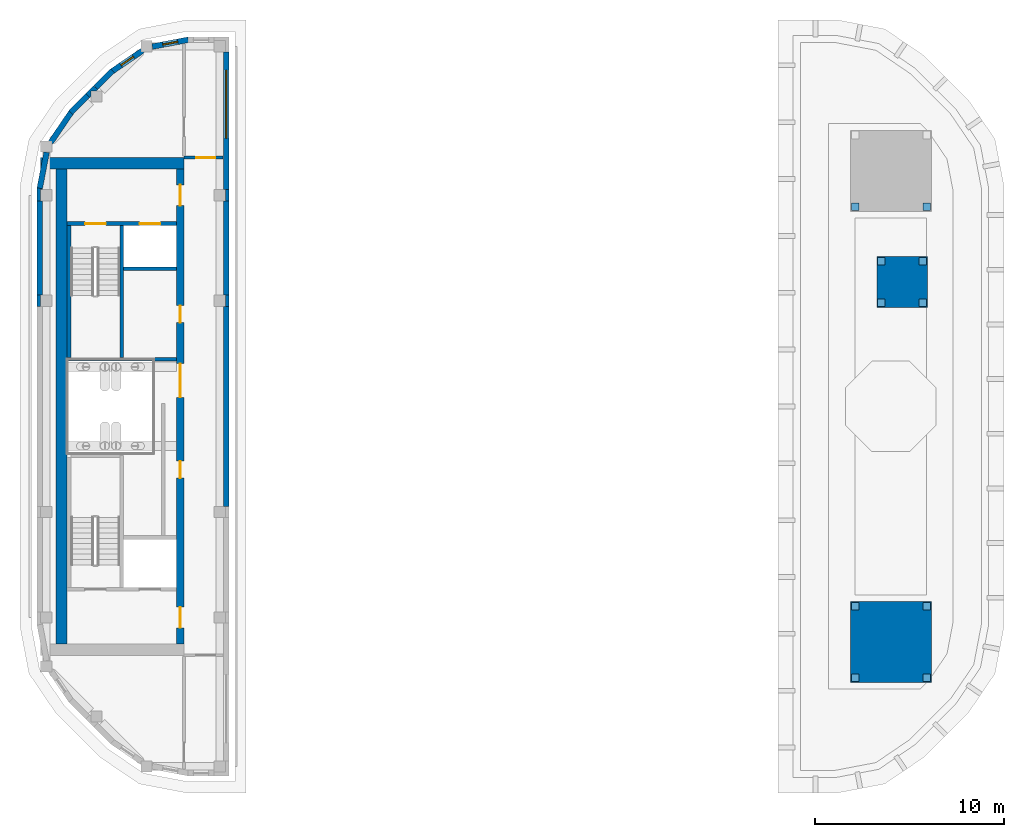
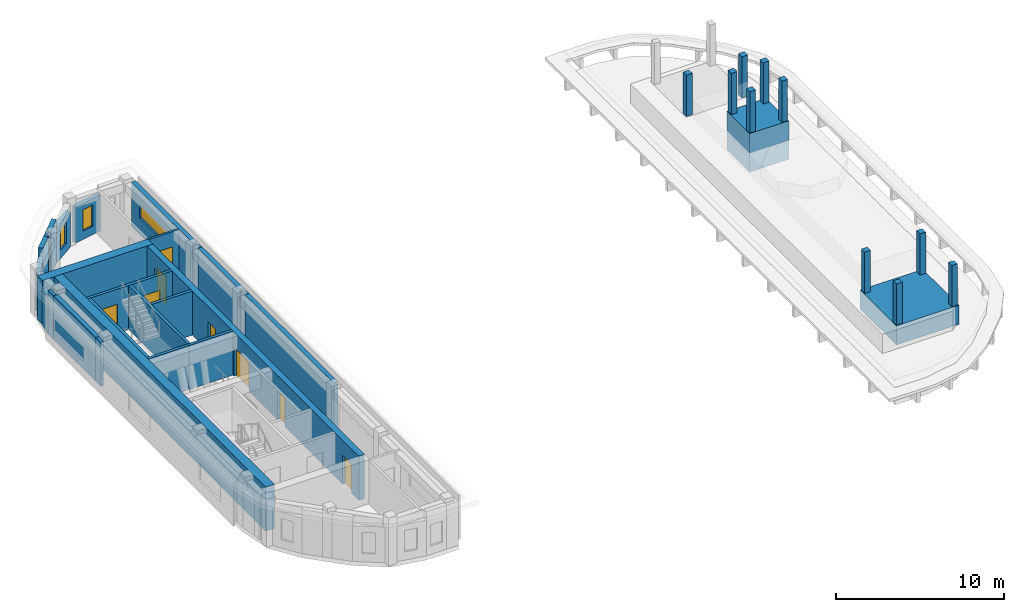
# One storey, part 3 of 8: 37 walls, 8 doors, 3 windows, 11 openings.
"""IFC4 building model written with IfcOpenShell, lengths in metres."""

from ifc_helpers import new_model, si_unit, direction, frame, frame_2d, origin, place, context, subcontext, project, spatial, polyline, rectangle, outline, extrude, material, layer, layer_set, type_object, element, fill, save


model = new_model("IFC4")

# Units and contexts
model_context = context("Model", 3, precision=1e-05, world=origin(), true_north=direction((0.0, 1.0)))
body_context = subcontext(model_context, "Body", "Model", "MODEL_VIEW")
ifc_project = project(units=[si_unit("LENGTHUNIT", "METRE"), si_unit("AREAUNIT", "SQUARE_METRE"), si_unit("VOLUMEUNIT", "CUBIC_METRE"), si_unit("PLANEANGLEUNIT", "RADIAN"), si_unit("MASSUNIT", "GRAM", prefix="KILO")], contexts=[model_context])

# Site, building, storey
site_placement = place(None, origin())
site = spatial("IfcSite", under=ifc_project, at=site_placement, CompositionType="ELEMENT")
building_placement = place(site_placement, origin())
building = spatial("IfcBuilding", under=site, at=building_placement, Name="Kiln Ring Residences", CompositionType="ELEMENT")
storey_placement = place(building_placement, frame((0.0, 0.0, 317.39990234375)))
storey = spatial("IfcBuildingStorey", under=building, at=storey_placement, Name="L82 Crown", CompositionType="ELEMENT", Elevation=317.39990234375)

# Walls
ifc_material_1 = material(Name="Brick masonry, dark clay brick", Category="masonry")
ifc_layer_1 = layer(ifc_material_1, 0.39990234375)
ifc_layer_set_1 = layer_set([ifc_layer_1], Name="CHHATRI POST 400")
wall_type_1 = type_object("IfcWallType", Name="CHHATRI POST 400", PredefinedType="SOLIDWALL", material=ifc_layer_set_1)
placement_1 = place(storey_placement, frame((0.0, 0.0, 1.400146484375)))
element("IfcWall", 1, at=placement_1, inside=storey, type_object=wall_type_1, Name="CHHATRI POST L81 Crown", PredefinedType="SOLIDWALL", context=body_context, shape_type="SweptSolid", body=[
    extrude(outline(polyline([(18.39990234375, 10.39990234375), (18.39990234375, 10.800048828125), (18.0, 10.800048828125), (18.0, 10.39990234375), (18.39990234375, 10.39990234375)])), origin(), (0.0, 0.0, 1.0), 3.0),
])
element("IfcWall", 2, at=placement_1, inside=storey, type_object=wall_type_1, Name="CHHATRI POST L81 Crown", PredefinedType="SOLIDWALL", context=body_context, shape_type="SweptSolid", body=[
    extrude(outline(polyline([(22.199951171875, 10.39990234375), (22.199951171875, 10.800048828125), (21.800048828125, 10.800048828125), (21.800048828125, 10.39990234375), (22.199951171875, 10.39990234375)])), origin(), (0.0, 0.0, 1.0), 3.0),
])
element("IfcWall", 3, at=placement_1, inside=storey, type_object=wall_type_1, Name="CHHATRI POST L81 Crown", PredefinedType="SOLIDWALL", context=body_context, shape_type="SweptSolid", body=[
    extrude(outline(polyline([(18.39990234375, -14.60009765625), (18.39990234375, -14.199951171875), (18.0, -14.199951171875), (18.0, -14.60009765625), (18.39990234375, -14.60009765625)])), origin(), (0.0, 0.0, 1.0), 3.0),
])
element("IfcWall", 4, at=placement_1, inside=storey, type_object=wall_type_1, Name="CHHATRI POST L81 Crown", PredefinedType="SOLIDWALL", context=body_context, shape_type="SweptSolid", body=[
    extrude(outline(polyline([(22.199951171875, -14.60009765625), (22.199951171875, -14.199951171875), (21.800048828125, -14.199951171875), (21.800048828125, -14.60009765625), (22.199951171875, -14.60009765625)])), origin(), (0.0, 0.0, 1.0), 3.0),
])
element("IfcWall", 5, at=placement_1, inside=storey, type_object=wall_type_1, Name="CHHATRI POST L81 Crown", PredefinedType="SOLIDWALL", context=body_context, shape_type="SweptSolid", body=[
    extrude(outline(polyline([(22.199951171875, -10.800048828125), (22.199951171875, -10.39990234375), (21.800048828125, -10.39990234375), (21.800048828125, -10.800048828125), (22.199951171875, -10.800048828125)])), origin(), (0.0, 0.0, 1.0), 3.0),
])
element("IfcWall", 6, at=placement_1, inside=storey, type_object=wall_type_1, Name="CHHATRI POST L81 Crown", PredefinedType="SOLIDWALL", context=body_context, shape_type="SweptSolid", body=[
    extrude(outline(polyline([(18.39990234375, -10.800048828125), (18.39990234375, -10.39990234375), (18.0, -10.39990234375), (18.0, -10.800048828125), (18.39990234375, -10.800048828125)])), origin(), (0.0, 0.0, 1.0), 3.0),
])
placement_2 = place(storey_placement, frame((0.0, 0.0, 2.800048828125)))
element("IfcWall", 7, at=placement_2, inside=storey, type_object=wall_type_1, Name="CHHATRI POST L81 Crown", PredefinedType="SOLIDWALL", context=body_context, shape_type="SweptSolid", body=[
    extrude(outline(polyline([(19.800048828125, 5.300048828125), (19.800048828125, 5.699951171875), (19.39990234375, 5.699951171875), (19.39990234375, 5.300048828125), (19.800048828125, 5.300048828125)])), origin(), (0.0, 0.0, 1.0), 3.0),
])
element("IfcWall", 8, at=placement_2, inside=storey, type_object=wall_type_1, Name="CHHATRI POST L81 Crown", PredefinedType="SOLIDWALL", context=body_context, shape_type="SweptSolid", body=[
    extrude(outline(polyline([(22.0, 5.300048828125), (22.0, 5.699951171875), (21.60009765625, 5.699951171875), (21.60009765625, 5.300048828125), (22.0, 5.300048828125)])), origin(), (0.0, 0.0, 1.0), 3.0),
])
element("IfcWall", 9, at=placement_2, inside=storey, type_object=wall_type_1, Name="CHHATRI POST L81 Crown", PredefinedType="SOLIDWALL", context=body_context, shape_type="SweptSolid", body=[
    extrude(outline(polyline([(22.0, 7.5), (22.0, 7.89990234375), (21.60009765625, 7.89990234375), (21.60009765625, 7.5), (22.0, 7.5)])), origin(), (0.0, 0.0, 1.0), 3.0),
])
element("IfcWall", 10, at=placement_2, inside=storey, type_object=wall_type_1, Name="CHHATRI POST L81 Crown", PredefinedType="SOLIDWALL", context=body_context, shape_type="SweptSolid", body=[
    extrude(outline(polyline([(19.800048828125, 7.5), (19.800048828125, 7.89990234375), (19.39990234375, 7.89990234375), (19.39990234375, 7.5), (19.800048828125, 7.5)])), origin(), (0.0, 0.0, 1.0), 3.0),
])
ifc_material_2 = material(Name="Gypsum shaft wall system")
ifc_layer_2 = layer(ifc_material_2, 0.199951171875)
ifc_layer_set_2 = layer_set([ifc_layer_2], Name="CORE-SHAFT-WALL-200")
wall_type_2 = type_object("IfcWallType", Name="CORE-SHAFT-WALL-200", PredefinedType="PARTITIONING", material=ifc_layer_set_2)
wall_11_placement = place(storey_placement, frame((-17.800048828125, 2.5, 0.0), z_axis=(0.0, 0.0, 1.0), x_axis=(-1.0, 0.0, 0.0)))
element("IfcWall", 11, at=wall_11_placement, inside=storey, type_object=wall_type_2, Name="Core partition west L82 Crown 3", PredefinedType="PARTITIONING", context=body_context, shape_type="SweptSolid", body=[
    extrude(rectangle(XDim=3.0, YDim=0.199951171875, at=frame_2d((1.5, 0.0))), origin(), (0.0, 0.0, 1.0), 3.2001953125),
])
wall_12_placement = place(storey_placement, frame((-17.800048828125, 7.300048828125, 0.0), z_axis=(0.0, 0.0, 1.0), x_axis=(-1.0, 0.0, 0.0)))
element("IfcWall", 12, at=wall_12_placement, inside=storey, type_object=wall_type_2, Name="Core partition west L82 Crown 4", PredefinedType="PARTITIONING", context=body_context, shape_type="SweptSolid", body=[
    extrude(rectangle(XDim=2.800048828125, YDim=0.199951171875, at=frame_2d((1.39990234375, 0.0))), origin(), (0.0, 0.0, 1.0), 3.2001953125),
])
ifc_material_3 = material(Name="Concrete C40/50", Category="concrete")
ifc_layer_3 = layer(ifc_material_3, 0.199951171875)
ifc_layer_set_3 = layer_set([ifc_layer_3], Name="CORE-WALL-RC200")
wall_type_3 = type_object("IfcWallType", Name="CORE-WALL-RC200", PredefinedType="SHEAR", material=ifc_layer_set_3)
wall_13_placement = place(storey_placement, frame((-20.699951171875, 2.60009765625, 0.0), z_axis=(0.0, 0.0, 1.0), x_axis=(0.0, 1.0, 0.0)))
element("IfcWall", 13, at=wall_13_placement, inside=storey, type_object=wall_type_3, Name="Core wall west L82 Crown 1", PredefinedType="SHEAR", context=body_context, shape_type="SweptSolid", body=[
    extrude(rectangle(XDim=7.0, YDim=0.199951171875, at=frame_2d((3.5, 0.0))), origin(), (0.0, 0.0, 1.0), 3.2001953125),
])
wall_14_placement = place(storey_placement, frame((-20.800048828125, 2.5, 0.0), z_axis=(0.0, 0.0, 1.0), x_axis=(-1.0, 0.0, 0.0)))
element("IfcWall", 14, at=wall_14_placement, inside=storey, type_object=wall_type_3, Name="Core wall west L82 Crown 3", PredefinedType="SHEAR", context=body_context, shape_type="SweptSolid", body=[
    extrude(rectangle(XDim=2.800048828125, YDim=0.199951171875, at=frame_2d((1.39990234375, 0.0))), origin(), (0.0, 0.0, 1.0), 3.2001953125),
])

# Wall, openings, doors
wall_15_placement = place(storey_placement, frame((-17.800048828125, 9.699951171875, 0.0), z_axis=(0.0, 0.0, 1.0), x_axis=(-1.0, 0.0, 0.0)))
wall_15 = element("IfcWall", 15, at=wall_15_placement, inside=storey, type_object=wall_type_3, Name="Core wall west L82 Crown 9", PredefinedType="SHEAR", context=body_context, shape_type="SweptSolid", body=[
    extrude(rectangle(XDim=5.800048828125, YDim=0.199951171875, at=frame_2d((2.89990234375, 0.0))), origin(), (0.0, 0.0, 1.0), 3.2001953125),
])
opening_1_placement = place(wall_15_placement, frame((0.85009765625, 0.0, 0.0)))
opening_1 = element("IfcOpeningElement", 16, at=opening_1_placement, cuts=wall_15, Name="Opening L82-CW04", PredefinedType="OPENING", context=body_context, shape_type="SweptSolid", body=[
    extrude(rectangle(XDim=1.10009765625, YDim=2.10009765625, at=frame_2d((0.550048828125, 1.050048828125))), frame((0.0, 0.10986328125, 0.0), z_axis=(0.0, -1.0, 0.0), x_axis=(1.0, 0.0, 0.0)), (0.0, 0.0, 1.0), 0.219970703125),
])
opening_2_placement = place(wall_15_placement, frame((3.75, 0.0, 0.0)))
opening_2 = element("IfcOpeningElement", 17, at=opening_2_placement, cuts=wall_15, Name="Opening L82-CW07", PredefinedType="OPENING", context=body_context, shape_type="SweptSolid", body=[
    extrude(rectangle(XDim=1.10009765625, YDim=2.10009765625, at=frame_2d((0.550048828125, 1.050048828125))), frame((0.0, 0.10986328125, 0.0), z_axis=(0.0, -1.0, 0.0), x_axis=(1.0, 0.0, 0.0)), (0.0, 0.0, 1.0), 0.219970703125),
])
ifc_material_4 = material(Name="Steel door leaf", Category="steel")
door_type_1 = type_object("IfcDoorType", Name="CORE-DOOR-LD", OperationType="DOUBLE_DOOR_SLIDING", PredefinedType="DOOR", material=ifc_material_4)
door_1_placement = place(opening_1_placement, origin())
door_1 = element("IfcDoor", 18, at=door_1_placement, inside=storey, type_object=door_type_1, Name="LD W-FF L82-CW04", OperationType="DOUBLE_DOOR_SLIDING", OverallHeight=2.10009765625, OverallWidth=1.10009765625, PredefinedType="DOOR", context=body_context, shape_type="SweptSolid", body=[
    extrude(rectangle(XDim=1.10009765625, YDim=2.10009765625, at=frame_2d((0.550048828125, 1.050048828125))), frame((0.0, 0.02490234375, 0.0), z_axis=(0.0, -1.0, 0.0), x_axis=(1.0, 0.0, 0.0)), (0.0, 0.0, 1.0), 0.050048828125),
])
fill(opening_1, door_1)
ifc_material_5 = material(Name="Steel door leaf", Category="steel")
door_type_2 = type_object("IfcDoorType", Name="CORE-DOOR-STAIR", OperationType="SINGLE_SWING_LEFT", PredefinedType="DOOR", material=ifc_material_5)
door_2_placement = place(opening_2_placement, origin())
door_2 = element("IfcDoor", 19, at=door_2_placement, inside=storey, type_object=door_type_2, Name="Stair W-STN L82-CW07", OperationType="SINGLE_SWING_LEFT", OverallHeight=2.10009765625, OverallWidth=1.10009765625, PredefinedType="DOOR", context=body_context, shape_type="SweptSolid", body=[
    extrude(rectangle(XDim=1.10009765625, YDim=2.10009765625, at=frame_2d((0.550048828125, 1.050048828125))), frame((0.0, 0.02490234375, 0.0), z_axis=(0.0, -1.0, 0.0), x_axis=(1.0, 0.0, 0.0)), (0.0, 0.0, 1.0), 0.050048828125),
])
fill(opening_2, door_2)

# Wall
wall_16_placement = place(storey_placement, frame((-23.5, 2.60009765625, 0.0), z_axis=(0.0, 0.0, 1.0), x_axis=(0.0, 1.0, 0.0)))
element("IfcWall", 20, at=wall_16_placement, inside=storey, type_object=wall_type_3, Name="Core wall west L82 Crown 10", PredefinedType="SHEAR", context=body_context, shape_type="SweptSolid", body=[
    extrude(rectangle(XDim=7.0, YDim=0.199951171875, at=frame_2d((3.5, 0.0))), origin(), (0.0, 0.0, 1.0), 3.2001953125),
])

# Wall, openings, doors
ifc_material_6 = material(Name="Concrete C60/75", Category="concrete")
ifc_layer_4 = layer(ifc_material_6, 0.39990234375)
ifc_layer_set_4 = layer_set([ifc_layer_4], Name="CORE-WALL-RC400")
wall_type_4 = type_object("IfcWallType", Name="CORE-WALL-RC400", PredefinedType="SHEAR", material=ifc_layer_set_4)
wall_17_placement = place(storey_placement, frame((-17.60009765625, -12.60009765625, 0.0), z_axis=(0.0, 0.0, 1.0), x_axis=(0.0, 1.0, 0.0)))
wall_17 = element("IfcWall", 21, at=wall_17_placement, inside=storey, type_object=wall_type_4, Name="Core wall west L82 Crown 6", PredefinedType="SHEAR", context=body_context, shape_type="SweptSolid", body=[
    extrude(rectangle(XDim=25.2001953125, YDim=0.39990234375, at=frame_2d((12.60009765625, 0.0))), origin(), (0.0, 0.0, 1.0), 3.2001953125),
])
opening_3_placement = place(wall_17_placement, frame((8.800048828125, 0.0, 0.0)))
opening_3 = element("IfcOpeningElement", 22, at=opening_3_placement, cuts=wall_17, Name="Opening L82-CW02", PredefinedType="OPENING", context=body_context, shape_type="SweptSolid", body=[
    extrude(rectangle(XDim=0.89990234375, YDim=2.10009765625, at=frame_2d((0.449951171875, 1.050048828125))), frame((0.0, 0.2099609375, 0.0), z_axis=(0.0, -1.0, 0.0), x_axis=(1.0, 0.0, 0.0)), (0.0, 0.0, 1.0), 0.419921875),
])
opening_4_placement = place(wall_17_placement, frame((17.050048828125, 0.0, 0.0)))
opening_4 = element("IfcOpeningElement", 23, at=opening_4_placement, cuts=wall_17, Name="Opening L82-CW03", PredefinedType="OPENING", context=body_context, shape_type="SweptSolid", body=[
    extrude(rectangle(XDim=0.89990234375, YDim=2.10009765625, at=frame_2d((0.449951171875, 1.050048828125))), frame((0.0, 0.2099609375, 0.0), z_axis=(0.0, -1.0, 0.0), x_axis=(1.0, 0.0, 0.0)), (0.0, 0.0, 1.0), 0.419921875),
])
opening_5_placement = place(wall_17_placement, frame((23.25, 0.0, 0.0)))
opening_5 = element("IfcOpeningElement", 24, at=opening_5_placement, cuts=wall_17, Name="Opening L82-CW05", PredefinedType="OPENING", context=body_context, shape_type="SweptSolid", body=[
    extrude(rectangle(XDim=1.10009765625, YDim=2.10009765625, at=frame_2d((0.550048828125, 1.050048828125))), frame((0.0, 0.2099609375, 0.0), z_axis=(0.0, -1.0, 0.0), x_axis=(1.0, 0.0, 0.0)), (0.0, 0.0, 1.0), 0.419921875),
])
opening_6_placement = place(wall_17_placement, frame((0.85009765625, 0.0, 0.0)))
opening_6 = element("IfcOpeningElement", 25, at=opening_6_placement, cuts=wall_17, Name="Opening L82-CW06", PredefinedType="OPENING", context=body_context, shape_type="SweptSolid", body=[
    extrude(rectangle(XDim=1.10009765625, YDim=2.10009765625, at=frame_2d((0.550048828125, 1.050048828125))), frame((0.0, 0.2099609375, 0.0), z_axis=(0.0, -1.0, 0.0), x_axis=(1.0, 0.0, 0.0)), (0.0, 0.0, 1.0), 0.419921875),
])
opening_7_placement = place(wall_17_placement, frame((13.074951171875, 0.0, 0.0)))
opening_7 = element("IfcOpeningElement", 26, at=opening_7_placement, cuts=wall_17, Name="Opening L82-CW09", PredefinedType="OPENING", context=body_context, shape_type="SweptSolid", body=[
    extrude(rectangle(XDim=1.800048828125, YDim=2.10009765625, at=frame_2d((0.89990234375, 1.050048828125))), frame((0.0, 0.2099609375, 0.0), z_axis=(0.0, -1.0, 0.0), x_axis=(1.0, 0.0, 0.0)), (0.0, 0.0, 1.0), 0.419921875),
])
ifc_material_7 = material(Name="Steel door leaf", Category="steel")
door_type_3 = type_object("IfcDoorType", Name="CORE-DOOR-LOBBY", OperationType="SINGLE_SWING_LEFT", PredefinedType="DOOR", material=ifc_material_7)
door_3_placement = place(opening_5_placement, origin())
door_3 = element("IfcDoor", 27, at=door_3_placement, inside=storey, type_object=door_type_3, Name="FFL L82-CW05", OperationType="SINGLE_SWING_RIGHT", OverallHeight=2.10009765625, OverallWidth=1.10009765625, PredefinedType="DOOR", context=body_context, shape_type="SweptSolid", body=[
    extrude(rectangle(XDim=1.10009765625, YDim=2.10009765625, at=frame_2d((0.550048828125, 1.050048828125))), frame((0.0, 0.02490234375, 0.0), z_axis=(0.0, -1.0, 0.0), x_axis=(1.0, 0.0, 0.0)), (0.0, 0.0, 1.0), 0.050048828125),
])
fill(opening_5, door_3)
door_4_placement = place(opening_6_placement, origin())
door_4 = element("IfcDoor", 28, at=door_4_placement, inside=storey, type_object=door_type_3, Name="SVL L82-CW06", OperationType="SINGLE_SWING_LEFT", OverallHeight=2.10009765625, OverallWidth=1.10009765625, PredefinedType="DOOR", context=body_context, shape_type="SweptSolid", body=[
    extrude(rectangle(XDim=1.10009765625, YDim=2.10009765625, at=frame_2d((0.550048828125, 1.050048828125))), frame((0.0, 0.02490234375, 0.0), z_axis=(0.0, -1.0, 0.0), x_axis=(1.0, 0.0, 0.0)), (0.0, 0.0, 1.0), 0.050048828125),
])
fill(opening_6, door_4)
ifc_material_8 = material(Name="Steel door leaf", Category="steel")
door_type_4 = type_object("IfcDoorType", Name="CORE-DOOR-PASS", OperationType="DOUBLE_DOOR_SINGLE_SWING", PredefinedType="DOOR", material=ifc_material_8)
door_5_placement = place(opening_7_placement, origin())
door_5 = element("IfcDoor", 29, at=door_5_placement, inside=storey, type_object=door_type_4, Name="Tuned mass damper hall L82-CW09", OperationType="DOUBLE_DOOR_SINGLE_SWING", OverallHeight=2.10009765625, OverallWidth=1.800048828125, PredefinedType="DOOR", context=body_context, shape_type="SweptSolid", body=[
    extrude(rectangle(XDim=1.800048828125, YDim=2.10009765625, at=frame_2d((0.89990234375, 1.050048828125))), frame((0.0, 0.02490234375, 0.0), z_axis=(0.0, -1.0, 0.0), x_axis=(1.0, 0.0, 0.0)), (0.0, 0.0, 1.0), 0.050048828125),
])
fill(opening_7, door_5)
ifc_material_9 = material(Name="Steel door leaf", Category="steel")
door_type_5 = type_object("IfcDoorType", Name="CORE-DOOR-ROOM", OperationType="SINGLE_SWING_LEFT", PredefinedType="DOOR", material=ifc_material_9)
door_6_placement = place(opening_3_placement, origin())
door_6 = element("IfcDoor", 30, at=door_6_placement, inside=storey, type_object=door_type_5, Name="Cleaner's store L82-CW02", OperationType="SINGLE_SWING_RIGHT", OverallHeight=2.10009765625, OverallWidth=0.89990234375, PredefinedType="DOOR", context=body_context, shape_type="SweptSolid", body=[
    extrude(rectangle(XDim=0.89990234375, YDim=2.10009765625, at=frame_2d((0.449951171875, 1.050048828125))), frame((0.0, 0.02490234375, 0.0), z_axis=(0.0, -1.0, 0.0), x_axis=(1.0, 0.0, 0.0)), (0.0, 0.0, 1.0), 0.050048828125),
])
fill(opening_3, door_6)
door_7_placement = place(opening_4_placement, origin())
door_7 = element("IfcDoor", 31, at=door_7_placement, inside=storey, type_object=door_type_5, Name="Locker store L82-CW03", OperationType="SINGLE_SWING_LEFT", OverallHeight=2.10009765625, OverallWidth=0.89990234375, PredefinedType="DOOR", context=body_context, shape_type="SweptSolid", body=[
    extrude(rectangle(XDim=0.89990234375, YDim=2.10009765625, at=frame_2d((0.449951171875, 1.050048828125))), frame((0.0, 0.02490234375, 0.0), z_axis=(0.0, -1.0, 0.0), x_axis=(1.0, 0.0, 0.0)), (0.0, 0.0, 1.0), 0.050048828125),
])
fill(opening_4, door_7)

# Walls
ifc_material_10 = material(Name="Concrete C60/75", Category="concrete")
ifc_layer_5 = layer(ifc_material_10, 0.60009765625)
ifc_layer_set_5 = layer_set([ifc_layer_5], Name="CORE-WALL-RC600")
wall_type_5 = type_object("IfcWallType", Name="CORE-WALL-RC600", PredefinedType="SHEAR", material=ifc_layer_set_5)
wall_18_placement = place(storey_placement, frame((-17.39990234375, 12.89990234375, 0.0), z_axis=(0.0, 0.0, 1.0), x_axis=(-1.0, 0.0, 0.0)))
element("IfcWall", 32, at=wall_18_placement, inside=storey, type_object=wall_type_5, Name="Core wall west L82 Crown 4", PredefinedType="SHEAR", context=body_context, shape_type="SweptSolid", body=[
    extrude(rectangle(XDim=7.60009765625, YDim=0.60009765625, at=frame_2d((3.800048828125, 0.0))), origin(), (0.0, 0.0, 1.0), 3.2001953125),
])
wall_19_placement = place(storey_placement, frame((-23.89990234375, -12.60009765625, 0.0), z_axis=(0.0, 0.0, 1.0), x_axis=(0.0, 1.0, 0.0)))
element("IfcWall", 33, at=wall_19_placement, inside=storey, type_object=wall_type_5, Name="Core wall west L82 Crown 7", PredefinedType="SHEAR", context=body_context, shape_type="SweptSolid", body=[
    extrude(rectangle(XDim=25.2001953125, YDim=0.60009765625, at=frame_2d((12.60009765625, 0.0))), origin(), (0.0, 0.0, 1.0), 3.2001953125),
])
ifc_material_11 = material(Name="Brick masonry, dark clay brick", Category="masonry")
ifc_layer_6 = layer(ifc_material_11, 0.300048828125)
ifc_layer_set_6 = layer_set([ifc_layer_6], Name="EW-300 BRICK WALL")
wall_type_6 = type_object("IfcWallType", Name="EW-300 BRICK WALL", PredefinedType="SOLIDWALL", material=ifc_layer_set_6)
wall_20_placement = place(storey_placement, frame((-15.14990234375, -5.300048828125, 0.0), z_axis=(0.0, 0.0, 1.0), x_axis=(0.0, 1.0, 0.0)))
element("IfcWall", 34, at=wall_20_placement, inside=storey, type_object=wall_type_6, Name="Facade wall L82 Crown 5", PredefinedType="SOLIDWALL", context=body_context, shape_type="SweptSolid", body=[
    extrude(rectangle(XDim=10.60009765625, YDim=0.300048828125, at=frame_2d((5.300048828125, 0.0))), origin(), (0.0, 0.0, 1.0), 3.2001953125),
])
wall_21_placement = place(storey_placement, frame((-15.14990234375, 5.89990234375, 0.0), z_axis=(0.0, 0.0, 1.0), x_axis=(0.0, 1.0, 0.0)))
element("IfcWall", 35, at=wall_21_placement, inside=storey, type_object=wall_type_6, Name="Facade wall L82 Crown 6", PredefinedType="SOLIDWALL", context=body_context, shape_type="SweptSolid", body=[
    extrude(rectangle(XDim=5.0, YDim=0.300048828125, at=frame_2d((2.5, 0.0))), origin(), (0.0, 0.0, 1.0), 3.2001953125),
])

# Wall, opening, window
wall_22_placement = place(storey_placement, frame((-15.14990234375, 11.5, 0.0), z_axis=(0.0, 0.0, 1.0), x_axis=(0.0, 1.0, 0.0)))
wall_22 = element("IfcWall", 36, at=wall_22_placement, inside=storey, type_object=wall_type_6, Name="Facade wall L82 Crown 7", PredefinedType="SOLIDWALL", context=body_context, shape_type="SweptSolid", body=[
    extrude(rectangle(XDim=7.300048828125, YDim=0.300048828125, at=frame_2d((3.64990234375, 0.0))), origin(), (0.0, 0.0, 1.0), 3.2001953125),
])
opening_8_placement = place(wall_22_placement, frame((2.737548828125, 0.0, 1.199951171875)))
opening_8 = element("IfcOpeningElement", 37, at=opening_8_placement, cuts=wall_22, Name="Opening W4", PredefinedType="OPENING", context=body_context, shape_type="SweptSolid", body=[
    extrude(rectangle(XDim=3.60009765625, YDim=0.949951171875, at=frame_2d((1.800048828125, 0.47509765625))), frame((0.0, 0.159912109375, 0.0), z_axis=(0.0, -1.0, 0.0), x_axis=(1.0, 0.0, 0.0)), (0.0, 0.0, 1.0), 0.320068359375),
])
ifc_material_12 = material(Name="Aluminium frame with double glazing", Category="aluminium")
window_type_1 = type_object("IfcWindowType", Name="WINDOW 3600 x 950", PartitioningType="SINGLE_PANEL", PredefinedType="WINDOW", material=ifc_material_12)
window_1_placement = place(opening_8_placement, origin())
window_1 = element("IfcWindow", 38, at=window_1_placement, inside=storey, type_object=window_type_1, Name="Window L82 Crown 4", OverallHeight=0.949951171875, OverallWidth=3.60009765625, PartitioningType="SINGLE_PANEL", PredefinedType="WINDOW", context=body_context, shape_type="SweptSolid", body=[
    extrude(rectangle(XDim=3.60009765625, YDim=0.949951171875, at=frame_2d((1.800048828125, 0.47509765625))), frame((0.0, 0.030029296875, 0.0), z_axis=(0.0, -1.0, 0.0), x_axis=(1.0, 0.0, 0.0)), (0.0, 0.0, 1.0), 0.06005859375),
])
fill(opening_8, window_1)

wall_23_placement = place(storey_placement, frame((-17.171875, 19.45263671875, 0.0), z_axis=(0.0, 0.0, 1.0), x_axis=(-0.982286967073, -0.187382801553, 0.0)))
wall_23 = element("IfcWall", 39, at=wall_23_placement, inside=storey, type_object=wall_type_6, Name="Facade wall L82 Crown 9", PredefinedType="SOLIDWALL", context=body_context, shape_type="SweptSolid", body=[
    extrude(rectangle(XDim=1.94775390625, YDim=0.300048828125, at=frame_2d((0.973876953125, 0.0))), origin(), (0.0, 0.0, 1.0), 2.60009765625),
])
opening_9_placement = place(wall_23_placement, frame((0.573974609375, 0.0, 0.60009765625)))
opening_9 = element("IfcOpeningElement", 40, at=opening_9_placement, cuts=wall_23, Name="Opening W5", PredefinedType="OPENING", context=body_context, shape_type="SweptSolid", body=[
    extrude(rectangle(XDim=0.800048828125, YDim=1.550048828125, at=frame_2d((0.39990234375, 0.77490234375))), frame((0.0, 0.159912109375, 0.0), z_axis=(0.0, -1.0, 0.0), x_axis=(1.0, 0.0, 0.0)), (0.0, 0.0, 1.0), 0.320068359375),
])
ifc_material_13 = material(Name="Aluminium frame with double glazing", Category="aluminium")
window_type_2 = type_object("IfcWindowType", Name="WINDOW 800 x 1550", PartitioningType="SINGLE_PANEL", PredefinedType="WINDOW", material=ifc_material_13)
window_2_placement = place(opening_9_placement, origin())
window_2 = element("IfcWindow", 41, at=window_2_placement, inside=storey, type_object=window_type_2, Name="Window L82 Crown 6", OverallHeight=1.550048828125, OverallWidth=0.800048828125, PartitioningType="SINGLE_PANEL", PredefinedType="WINDOW", context=body_context, shape_type="SweptSolid", body=[
    extrude(rectangle(XDim=0.800048828125, YDim=1.550048828125, at=frame_2d((0.39990234375, 0.77490234375))), frame((0.0, 0.030029296875, 0.0), z_axis=(0.0, -1.0, 0.0), x_axis=(1.0, 0.0, 0.0)), (0.0, 0.0, 1.0), 0.06005859375),
])
fill(opening_9, window_2)

wall_24_placement = place(storey_placement, frame((-19.601806640625, 18.873779296875, 0.0), z_axis=(0.0, 0.0, 1.0), x_axis=(-0.827022075481, -0.562169446579, 0.0)))
wall_24 = element("IfcWall", 42, at=wall_24_placement, inside=storey, type_object=wall_type_6, Name="Facade wall L82 Crown 10", PredefinedType="SOLIDWALL", context=body_context, shape_type="SweptSolid", body=[
    extrude(rectangle(XDim=1.94775390625, YDim=0.300048828125, at=frame_2d((0.973876953125, 0.0))), origin(), (0.0, 0.0, 1.0), 2.60009765625),
])
opening_10_placement = place(wall_24_placement, frame((0.573974609375, 0.0, 0.60009765625)))
opening_10 = element("IfcOpeningElement", 43, at=opening_10_placement, cuts=wall_24, Name="Opening W5", PredefinedType="OPENING", context=body_context, shape_type="SweptSolid", body=[
    extrude(rectangle(XDim=0.800048828125, YDim=1.550048828125, at=frame_2d((0.39990234375, 0.77490234375))), frame((0.0, 0.159912109375, 0.0), z_axis=(0.0, -1.0, 0.0), x_axis=(1.0, 0.0, 0.0)), (0.0, 0.0, 1.0), 0.320068359375),
])
window_3_placement = place(opening_10_placement, origin())
window_3 = element("IfcWindow", 44, at=window_3_placement, inside=storey, type_object=window_type_2, Name="Window L82 Crown 7", OverallHeight=1.550048828125, OverallWidth=0.800048828125, PartitioningType="SINGLE_PANEL", PredefinedType="WINDOW", context=body_context, shape_type="SweptSolid", body=[
    extrude(rectangle(XDim=0.800048828125, YDim=1.550048828125, at=frame_2d((0.39990234375, 0.77490234375))), frame((0.0, 0.030029296875, 0.0), z_axis=(0.0, -1.0, 0.0), x_axis=(1.0, 0.0, 0.0)), (0.0, 0.0, 1.0), 0.06005859375),
])
fill(opening_10, window_3)

# Walls
for number, where, z_axis, x_axis, name in (
    (45, (-21.19091796875, 17.796875, 0.0), (0.0, 0.0, 1.0), (-0.707106781187, -0.707106781187, 0.0), "Facade wall L82 Crown 11"),
    (46, (-22.506103515625, 16.481689453125, 0.0), (0.0, 0.0, 1.0), (-0.707203678312, -0.707009870781, 0.0), "Facade wall L82 Crown 12"),
):
    element("IfcWall", number, at=place(storey_placement, frame(where, z_axis=z_axis, x_axis=x_axis)), inside=storey, type_object=wall_type_6, Name=name, PredefinedType="SOLIDWALL", context=body_context, shape_type="SweptSolid", body=[
        extrude(rectangle(XDim=1.259765625, YDim=0.300048828125, at=frame_2d((0.6298828125, 0.0))), origin(), (0.0, 0.0, 1.0), 3.2001953125),
    ])
wall_25_placement = place(storey_placement, frame((-23.37890625, 15.61279296875, 0.0), z_axis=(0.0, 0.0, 1.0), x_axis=(-0.562025435703, -0.827119948752, 0.0)))
element("IfcWall", 47, at=wall_25_placement, inside=storey, type_object=wall_type_6, Name="Facade wall L82 Crown 13", PredefinedType="SOLIDWALL", context=body_context, shape_type="SweptSolid", body=[
    extrude(rectangle(XDim=1.94775390625, YDim=0.300048828125, at=frame_2d((0.973876953125, 0.0))), origin(), (0.0, 0.0, 1.0), 2.60009765625),
])
wall_26_placement = place(storey_placement, frame((-24.687744140625, 13.485107421875, 0.0), z_axis=(0.0, 0.0, 1.0), x_axis=(-0.187354129902, -0.982292436095, 0.0)))
element("IfcWall", 48, at=wall_26_placement, inside=storey, type_object=wall_type_6, Name="Facade wall L82 Crown 14", PredefinedType="SOLIDWALL", context=body_context, shape_type="SweptSolid", body=[
    extrude(rectangle(XDim=1.94677734375, YDim=0.300048828125, at=frame_2d((0.973388671875, 0.0))), origin(), (0.0, 0.0, 1.0), 2.60009765625),
])
wall_27_placement = place(storey_placement, frame((-25.050048828125, 10.89990234375, 0.0), z_axis=(0.0, 0.0, 1.0), x_axis=(0.0, -1.0, 0.0)))
element("IfcWall", 49, at=wall_27_placement, inside=storey, type_object=wall_type_6, Name="Facade wall L82 Crown 15", PredefinedType="SOLIDWALL", context=body_context, shape_type="SweptSolid", body=[
    extrude(rectangle(XDim=5.0, YDim=0.300048828125, at=frame_2d((2.5, 0.0))), origin(), (0.0, 0.0, 1.0), 3.2001953125),
])
placement_3 = place(storey_placement, origin())
element("IfcWall", 50, at=placement_3, inside=storey, type_object=wall_type_6, Name="Corner wall L82 Crown 4", PredefinedType="SOLIDWALL", context=body_context, shape_type="SweptSolid", body=[
    extrude(outline(polyline([(-25.0, 5.89990234375), (-25.199951171875, 5.89990234375), (-25.199951171875, 5.300048828125), (-25.0, 5.300048828125), (-25.0, 5.89990234375)])), origin(), (0.0, 0.0, 1.0), 3.2001953125),
])
element("IfcWall", 51, at=placement_3, inside=storey, type_object=wall_type_6, Name="Corner wall L82 Crown 5", PredefinedType="SOLIDWALL", context=body_context, shape_type="SweptSolid", body=[
    extrude(outline(polyline([(-25.199951171875, 11.600830078125), (-25.199951171875, 10.89990234375), (-25.0, 10.89990234375), (-25.0, 11.5), (-24.89990234375, 11.5), (-24.89990234375, 11.56103515625), (-24.9033203125, 11.544189453125), (-25.199951171875, 11.600830078125)])), origin(), (0.0, 0.0, 1.0), 3.2001953125),
])
element("IfcWall", 52, at=placement_3, inside=storey, type_object=wall_type_6, Name="Corner wall L82 Crown 6", PredefinedType="SOLIDWALL", context=body_context, shape_type="SweptSolid", body=[
    extrude(outline(polyline([(-21.9755859375, 16.800048828125), (-22.18798828125, 17.01220703125), (-22.612060546875, 16.587890625), (-22.39990234375, 16.375732421875), (-22.346435546875, 16.42919921875), (-22.346435546875, 16.746337890625), (-22.029296875, 16.746337890625), (-21.9755859375, 16.800048828125)])), origin(), (0.0, 0.0, 1.0), 3.2001953125),
])
element("IfcWall", 53, at=placement_3, inside=storey, type_object=wall_type_6, Name="Corner wall L82 Crown 8", PredefinedType="SOLIDWALL", context=body_context, shape_type="SweptSolid", body=[
    extrude(outline(polyline([(-15.199951171875, 10.89990234375), (-15.0, 10.89990234375), (-15.0, 11.5), (-15.199951171875, 11.5), (-15.199951171875, 10.89990234375)])), origin(), (0.0, 0.0, 1.0), 3.2001953125),
])
element("IfcWall", 54, at=placement_3, inside=storey, type_object=wall_type_6, Name="Corner wall L82 Crown 9", PredefinedType="SOLIDWALL", context=body_context, shape_type="SweptSolid", body=[
    extrude(outline(polyline([(-15.199951171875, 5.300048828125), (-15.0, 5.300048828125), (-15.0, 5.89990234375), (-15.300048828125, 5.89990234375), (-15.199951171875, 5.89990234375), (-15.199951171875, 5.300048828125)])), origin(), (0.0, 0.0, 1.0), 3.2001953125),
])
ifc_material_14 = material(Name="Brick masonry, dark clay brick", Category="masonry")
ifc_layer_7 = layer(ifc_material_14, 0.5)
ifc_layer_set_7 = layer_set([ifc_layer_7], Name="KIOSK PLINTH 500")
wall_type_7 = type_object("IfcWallType", Name="KIOSK PLINTH 500", PredefinedType="SOLIDWALL", material=ifc_layer_set_7)
element("IfcWall", 55, at=placement_3, inside=storey, type_object=wall_type_7, Name="KIOSK PLINTH L81 Crown", PredefinedType="SOLIDWALL", context=body_context, shape_type="SweptSolid", body=[
    extrude(outline(polyline([(22.25, -14.64990234375), (22.25, -10.35009765625), (17.949951171875, -10.35009765625), (17.949951171875, -14.64990234375), (22.25, -14.64990234375)])), origin(), (0.0, 0.0, 1.0), 1.400146484375),
])
element("IfcWall", 56, at=placement_3, inside=storey, type_object=wall_type_7, Name="KIOSK PLINTH L81 Crown", PredefinedType="SOLIDWALL", context=body_context, shape_type="SweptSolid", body=[
    extrude(outline(polyline([(22.050048828125, 5.25), (22.050048828125, 7.949951171875), (19.35009765625, 7.949951171875), (19.35009765625, 5.25), (22.050048828125, 5.25)])), origin(), (0.0, 0.0, 1.0), 2.800048828125),
])

# Wall, opening, door
ifc_material_15 = material(Name="Brick masonry partition", Category="masonry")
ifc_layer_8 = layer(ifc_material_15, 0.14990234375)
ifc_layer_set_8 = layer_set([ifc_layer_8], Name="PARTITION-150-ei60")
wall_type_8 = type_object("IfcWallType", Name="PARTITION-150-ei60", PredefinedType="PARTITIONING", material=ifc_layer_set_8)
wall_35_placement = place(storey_placement, frame((-17.405029296875, 13.199951171875, 0.0), z_axis=(0.0, 0.0, 1.0), x_axis=(1.0, 0.0, 0.0)))
wall_35 = element("IfcWall", 57, at=wall_35_placement, inside=storey, type_object=wall_type_8, Name="Partition 001", PredefinedType="PARTITIONING", context=body_context, shape_type="SweptSolid", body=[
    extrude(rectangle(XDim=2.0849609375, YDim=0.14990234375, at=frame_2d((1.04248046875, 0.0))), origin(), (0.0, 0.0, 1.0), 3.2001953125),
])
opening_11_placement = place(wall_35_placement, frame((0.6650390625, 0.0, 0.0)))
opening_11 = element("IfcOpeningElement", 58, at=opening_11_placement, cuts=wall_35, Name="Opening L82-D001", PredefinedType="OPENING", context=body_context, shape_type="SweptSolid", body=[
    extrude(rectangle(XDim=1.0, YDim=2.10009765625, at=frame_2d((0.5, 1.050048828125))), frame((0.0, 0.0849609375, 0.0), z_axis=(0.0, -1.0, 0.0), x_axis=(1.0, 0.0, 0.0)), (0.0, 0.0, 1.0), 0.169921875),
])
ifc_material_16 = material(Name="Steel faced fire door leaf", Category="steel")
door_type_6 = type_object("IfcDoorType", Name="FLAT-DOOR-1000-FR", OperationType="SINGLE_SWING_LEFT", PredefinedType="DOOR", material=ifc_material_16)
door_8_placement = place(opening_11_placement, origin())
door_8 = element("IfcDoor", 59, at=door_8_placement, inside=storey, type_object=door_type_6, Name="Door L82-D001", OperationType="SINGLE_SWING_RIGHT", OverallHeight=2.10009765625, OverallWidth=1.0, PredefinedType="DOOR", context=body_context, shape_type="SweptSolid", body=[
    extrude(rectangle(XDim=1.0, YDim=2.10009765625, at=frame_2d((0.5, 1.050048828125))), frame((0.0, 0.02490234375, 0.0), z_axis=(0.0, -1.0, 0.0), x_axis=(1.0, 0.0, 0.0)), (0.0, 0.0, 1.0), 0.050048828125),
])
fill(opening_11, door_8)

save(model, "model.ifc")
